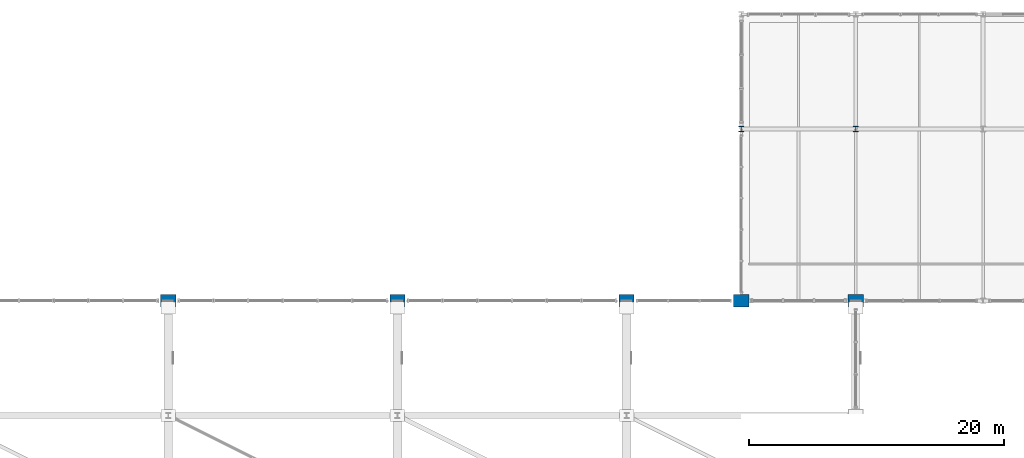
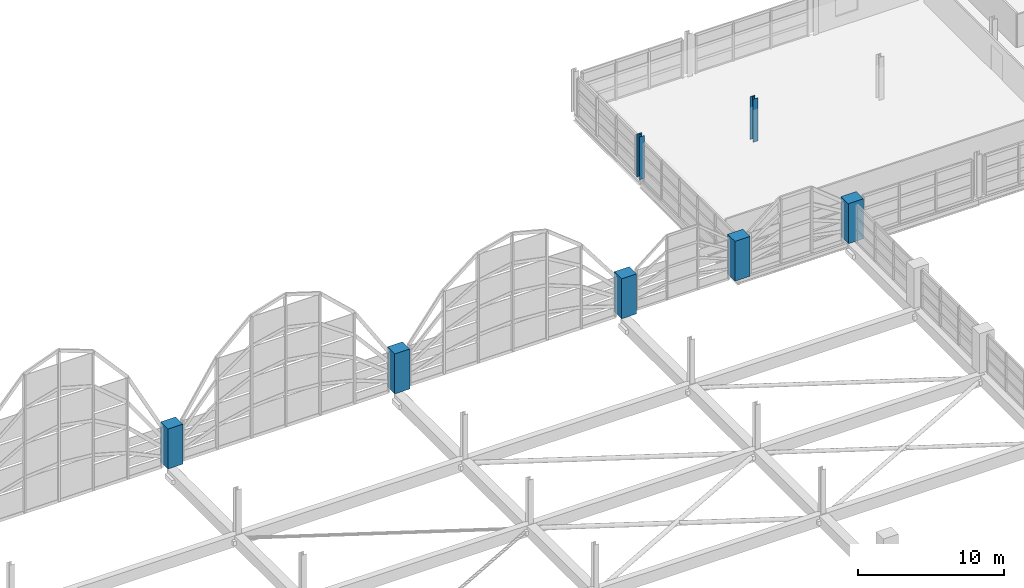
# One storey, part 10 of 116: 7 columns.
"""IFC4 building model written with IfcOpenShell, lengths in metres."""

from ifc_helpers import new_model, si_unit, direction, frame, origin, origin_2d, place, context, subcontext, project, spatial, rectangle, i_section, extrude, material, material_profile, profile_set, type_object, element, save


model = new_model("IFC4")

# Units and contexts
model_context = context("Model", 3, precision=1e-05, world=origin(), true_north=direction((0.0, 1.0)))
body_context = subcontext(model_context, "Body", "Model", "MODEL_VIEW")
ifc_project = project(units=[si_unit("LENGTHUNIT", "METRE"), si_unit("AREAUNIT", "SQUARE_METRE"), si_unit("VOLUMEUNIT", "CUBIC_METRE"), si_unit("PLANEANGLEUNIT", "RADIAN"), si_unit("MASSUNIT", "GRAM", prefix="KILO")], contexts=[model_context])

# Site, building, storey
site_placement = place(None, origin())
site = spatial("IfcSite", under=ifc_project, at=site_placement, CompositionType="ELEMENT")
building_placement = place(site_placement, origin())
building = spatial("IfcBuilding", under=site, at=building_placement, Name="Chuanluo Vaults Station", CompositionType="ELEMENT")
storey_placement = place(building_placement, frame((0.0, 0.0, 10.800048828125)))
storey = spatial("IfcBuildingStorey", under=building, at=storey_placement, Name="L02", CompositionType="ELEMENT", Elevation=10.800048828125)

# Columns
ifc_material_1 = material(Name="Concrete C50", Category="concrete")
ifc_material_profile_1 = material_profile(ifc_material_1, rectangle(XDim=1.199951171875, YDim=1.0, at=origin_2d()))
ifc_profile_set_1 = profile_set([ifc_material_profile_1], Name="Concrete C50")
column_type_1 = type_object("IfcColumnType", Name="COL-SRC-1200x1000", PredefinedType="COLUMN", material=ifc_profile_set_1)
for number, where, z_axis, x_axis, name in (
    (1, (72.0, 103.5, 0.0), (0.0, 0.0, 1.0), (1.0, 0.0, 0.0), "Column L02-050"),
    (2, (90.0, 103.5, 0.0), (0.0, 0.0, 1.0), (1.0, 0.0, 0.0), "Column L02-059"),
    (3, (108.0, 103.5, 0.0), (0.0, 0.0, 1.0), (1.0, 0.0, 0.0), "Column L02-067"),
    (4, (117.0, 103.5, 0.0), (0.0, 0.0, 1.0), (1.0, 0.0, 0.0), "Column L02-070"),
    (5, (126.0, 103.5, 0.0), (0.0, 0.0, 1.0), (1.0, 0.0, 0.0), "Column L02-081"),
):
    element("IfcColumn", number, at=place(storey_placement, frame(where, z_axis=z_axis, x_axis=x_axis)), inside=storey, type_object=column_type_1, Name=name, PredefinedType="COLUMN", context=body_context, shape_type="SweptSolid", body=[
        extrude(rectangle(XDim=1.199951171875, YDim=1.0, at=origin_2d()), origin(), (0.0, 0.0, 1.0), 3.349853515625),
    ])
ifc_material_2 = material(Name="Steel Q355C", Category="steel")
ifc_material_profile_2 = material_profile(ifc_material_2, i_section(OverallWidth=0.39990234375, OverallDepth=0.407958984375, WebThickness=0.02099609375, FlangeThickness=0.02099609375, FilletRadius=0.02197265625, at=origin_2d()))
ifc_profile_set_2 = profile_set([ifc_material_profile_2], Name="Steel Q355C")
column_type_2 = type_object("IfcColumnType", Name="COL-STL-HW408", PredefinedType="COLUMN", material=ifc_profile_set_2)
for number, where, z_axis, x_axis, name in (
    (6, (117.0, 117.0, 0.0), (0.0, 0.0, 1.0), (1.0, 0.0, 0.0), "Column L02-071"),
    (7, (126.0, 117.0, 0.0), (0.0, 0.0, 1.0), (1.0, 0.0, 0.0), "Column L02-082"),
):
    element("IfcColumn", number, at=place(storey_placement, frame(where, z_axis=z_axis, x_axis=x_axis)), inside=storey, type_object=column_type_2, Name=name, PredefinedType="COLUMN", context=body_context, shape_type="SweptSolid", body=[
        extrude(i_section(OverallWidth=0.39990234375, OverallDepth=0.407958984375, WebThickness=0.02099609375, FlangeThickness=0.02099609375, FilletRadius=0.02197265625, at=origin_2d()), origin(), (0.0, 0.0, 1.0), 3.599853515625),
    ])

save(model, "model.ifc")
